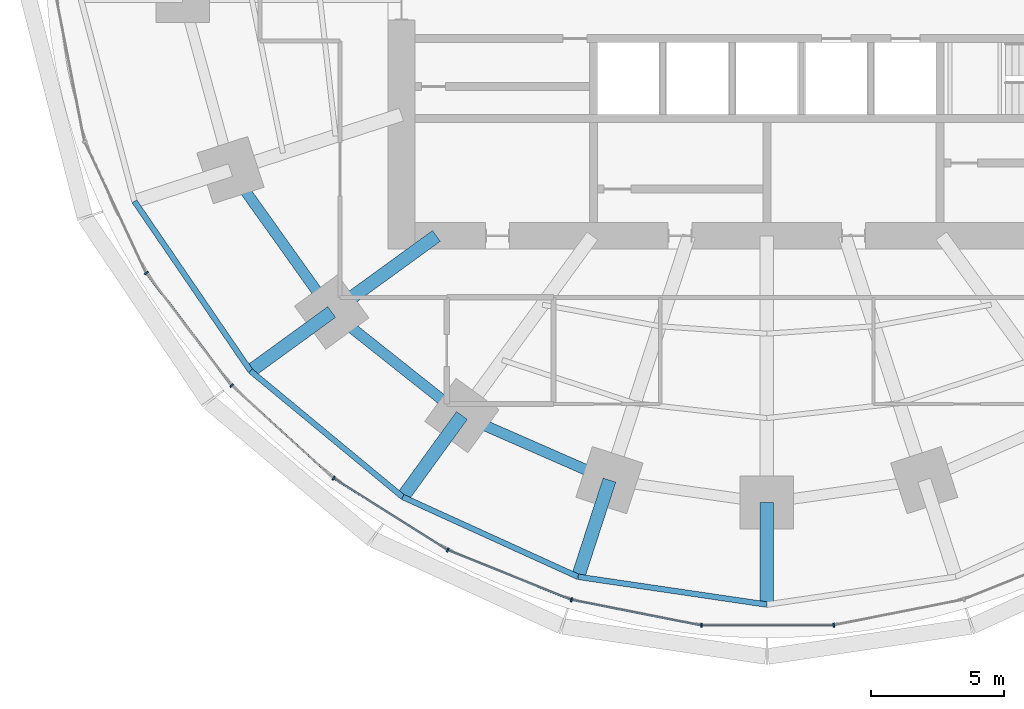
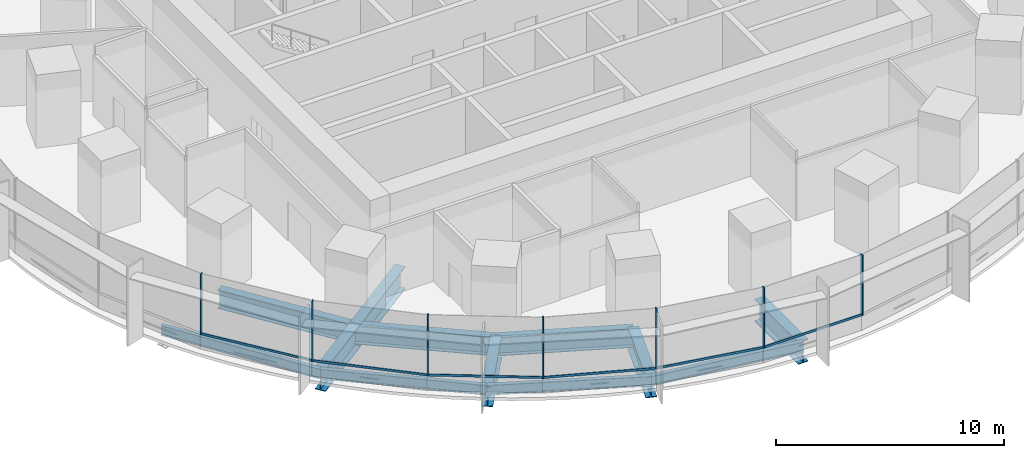
# One storey, part 2 of 15: 13 members, 12 beams, 2 elements without a shape of their own.
"""IFC4 building model written with IfcOpenShell, lengths in metres."""

from ifc_helpers import new_model, si_unit, direction, frame, origin, origin_2d, place, context, subcontext, project, spatial, rectangle, i_section, extrude, material, material_profile, profile_set, type_object, element, aggregate, save


model = new_model("IFC4")

# Units and contexts
model_context = context("Model", 3, precision=1e-05, world=origin(), true_north=direction((0.0, 1.0)))
body_context = subcontext(model_context, "Body", "Model", "MODEL_VIEW")
ifc_project = project(units=[si_unit("LENGTHUNIT", "METRE"), si_unit("AREAUNIT", "SQUARE_METRE"), si_unit("VOLUMEUNIT", "CUBIC_METRE"), si_unit("PLANEANGLEUNIT", "RADIAN"), si_unit("MASSUNIT", "GRAM", prefix="KILO")], contexts=[model_context])

# Site, building, storey
site_placement = place(None, origin())
site = spatial("IfcSite", under=ifc_project, at=site_placement, CompositionType="ELEMENT")
building_placement = place(site_placement, origin())
building = spatial("IfcBuilding", under=site, at=building_placement, Name="Marramba Exchange Tower", CompositionType="ELEMENT")
storey_placement = place(building_placement, frame((0.0, 0.0, 40.60009765625)))
storey = spatial("IfcBuildingStorey", under=building, at=storey_placement, Name="L09", CompositionType="ELEMENT", Elevation=40.60009765625)

# Beams
ifc_material_1 = material(Name="Steel AS/NZS 3679.2 grade 300", Category="steel")
ifc_material_profile_1 = material_profile(ifc_material_1, i_section(OverallWidth=0.5, OverallDepth=1.199951171875, WebThickness=0.01611328125, FlangeThickness=0.0400390625, at=origin_2d()), Name="1200WB455")
ifc_profile_set_1 = profile_set([ifc_material_profile_1], Name="Steel AS/NZS 3679.2 grade 300")
beam_type_1 = type_object("IfcBeamType", Name="Cantilever girder 1200WB455", PredefinedType="BEAM", material=ifc_profile_set_1)
beam_1_placement = place(storey_placement, frame((-16.3154296875, -11.853759765625, -0.760009765625), z_axis=(-0.809008346081, -0.587797155463, 0.0), x_axis=(0.587797155463, -0.809008346081, 0.0)))
element("IfcBeam", 1, at=beam_1_placement, inside=storey, type_object=beam_type_1, Name="Cantilever girder L09 TC13", PredefinedType="BEAM", context=body_context, shape_type="SweptSolid", body=[
    extrude(i_section(OverallWidth=0.5, OverallDepth=1.199951171875, WebThickness=0.01611328125, FlangeThickness=0.0400390625, at=origin_2d()), origin(), (0.0, 0.0, 1.0), 3.76025390625),
])
beam_2_placement = place(storey_placement, frame((-11.430419921875, -15.732666015625, -0.760009765625), z_axis=(-0.587787232741, -0.809015555491, 0.0), x_axis=(0.809015555491, -0.587787232741, 0.0)))
element("IfcBeam", 2, at=beam_2_placement, inside=storey, type_object=beam_type_1, Name="Cantilever girder L09 TC14", PredefinedType="BEAM", context=body_context, shape_type="SweptSolid", body=[
    extrude(i_section(OverallWidth=0.5, OverallDepth=1.199951171875, WebThickness=0.01611328125, FlangeThickness=0.0400390625, at=origin_2d()), origin(), (0.0, 0.0, 1.0), 3.7763671875),
])
beam_3_placement = place(storey_placement, frame((-5.899658203125, -18.156982421875, -0.760009765625), z_axis=(-0.309009272901, -0.951059025119, 0.0), x_axis=(0.951059025119, -0.309009272901, 0.0)))
element("IfcBeam", 3, at=beam_3_placement, inside=storey, type_object=beam_type_1, Name="Cantilever girder L09 TC15", PredefinedType="BEAM", context=body_context, shape_type="SweptSolid", body=[
    extrude(i_section(OverallWidth=0.5, OverallDepth=1.199951171875, WebThickness=0.01611328125, FlangeThickness=0.0400390625, at=origin_2d()), origin(), (0.0, 0.0, 1.0), 3.809814453125),
])
beam_4_placement = place(storey_placement, frame((0.0, -18.99609375, -0.760009765625), z_axis=(0.0, -1.0, 0.0), x_axis=(1.0, 0.0, 0.0)))
element("IfcBeam", 4, at=beam_4_placement, inside=storey, type_object=beam_type_1, Name="Cantilever girder L09 TC16", PredefinedType="BEAM", context=body_context, shape_type="SweptSolid", body=[
    extrude(i_section(OverallWidth=0.5, OverallDepth=1.199951171875, WebThickness=0.01611328125, FlangeThickness=0.0400390625, at=origin_2d()), origin(), (0.0, 0.0, 1.0), 3.825927734375),
])
ifc_material_profile_2 = material_profile(ifc_material_1, i_section(OverallWidth=0.5, OverallDepth=1.199951171875, WebThickness=0.01611328125, FlangeThickness=0.0400390625, at=origin_2d()), Name="1200WB455")
ifc_profile_set_2 = profile_set([ifc_material_profile_2], Name="Steel AS/NZS 3679.2 grade 300")
beam_type_2 = type_object("IfcBeamType", Name="Radial girder 1200WB455", PredefinedType="BEAM", material=ifc_profile_set_2)
beam_5_placement = place(storey_placement, frame((-12.387451171875, -9.0, -0.760009765625), z_axis=(-0.809025189606, -0.58777397236, 0.0), x_axis=(0.58777397236, -0.809025189606, 0.0)))
element("IfcBeam", 5, at=beam_5_placement, inside=storey, type_object=beam_type_2, Name="Radial girder L09 TC13", PredefinedType="BEAM", context=body_context, shape_type="SweptSolid", body=[
    extrude(i_section(OverallWidth=0.5, OverallDepth=1.199951171875, WebThickness=0.01611328125, FlangeThickness=0.0400390625, at=origin_2d()), origin(), (0.0, 0.0, 1.0), 4.855224609375),
])
ifc_material_profile_3 = material_profile(ifc_material_1, i_section(OverallWidth=0.39990234375, OverallDepth=1.0, WebThickness=0.01611328125, FlangeThickness=0.031982421875, at=origin_2d()), Name="1000WB322")
ifc_profile_set_3 = profile_set([ifc_material_profile_3], Name="Steel AS/NZS 3679.2 grade 300")
beam_type_3 = type_object("IfcBeamType", Name="Ring beam 1000WB322", PredefinedType="SPANDREL", material=ifc_profile_set_3)
beam_6_placement = place(storey_placement, frame((-20.109375, -6.533935546875, -0.66015625), z_axis=(0.580637181111, -0.814162430914, 0.0), x_axis=(0.814162430914, 0.580637181111, 0.0)))
element("IfcBeam", 6, at=beam_6_placement, inside=storey, type_object=beam_type_3, Name="Ring beam L09 TC12-TC13", PredefinedType="SPANDREL", context=body_context, shape_type="SweptSolid", body=[
    extrude(i_section(OverallWidth=0.39990234375, OverallDepth=1.0, WebThickness=0.01611328125, FlangeThickness=0.031982421875, at=origin_2d()), origin(), (0.0, 0.0, 1.0), 6.5341796875),
])
beam_7_placement = place(storey_placement, frame((-16.3154296875, -11.853759765625, -0.66015625), z_axis=(0.783139438128, -0.621846138887, 0.0), x_axis=(0.621846138887, 0.783139438128, 0.0)))
element("IfcBeam", 7, at=beam_7_placement, inside=storey, type_object=beam_type_3, Name="Ring beam L09 TC13-TC14", PredefinedType="SPANDREL", context=body_context, shape_type="SweptSolid", body=[
    extrude(i_section(OverallWidth=0.39990234375, OverallDepth=1.0, WebThickness=0.01611328125, FlangeThickness=0.031982421875, at=origin_2d()), origin(), (0.0, 0.0, 1.0), 6.23779296875),
])
beam_8_placement = place(storey_placement, frame((-11.430419921875, -15.732666015625, -0.66015625), z_axis=(0.915876892158, -0.4014592363, 0.0), x_axis=(0.4014592363, 0.915876892158, 0.0)))
element("IfcBeam", 8, at=beam_8_placement, inside=storey, type_object=beam_type_3, Name="Ring beam L09 TC14-TC15", PredefinedType="SPANDREL", context=body_context, shape_type="SweptSolid", body=[
    extrude(i_section(OverallWidth=0.39990234375, OverallDepth=1.0, WebThickness=0.01611328125, FlangeThickness=0.031982421875, at=origin_2d()), origin(), (0.0, 0.0, 1.0), 6.038818359375),
])
ifc_material_2 = material(Name="Steel AS/NZS 3679.1 grade 300", Category="steel")
ifc_material_profile_4 = material_profile(ifc_material_2, i_section(OverallWidth=0.208984375, OverallDepth=0.528076171875, WebThickness=0.009521484375, FlangeThickness=0.01318359375, FilletRadius=0.013916015625, at=origin_2d()), Name="530UB82.0")
ifc_profile_set_4 = profile_set([ifc_material_profile_4], Name="Steel AS/NZS 3679.1 grade 300")
beam_type_4 = type_object("IfcBeamType", Name="Slab edge beam 530UB82.0", PredefinedType="SPANDREL", material=ifc_profile_set_4)
beam_9_placement = place(storey_placement, frame((-23.709716796875, -7.703857421875, -0.424072265625), z_axis=(0.564740697285, -0.82526840775, 0.0), x_axis=(0.82526840775, 0.564740697285, 0.0)))
element("IfcBeam", 9, at=beam_9_placement, inside=storey, type_object=beam_type_4, Name="Slab edge beam L09 TC12-TC13", PredefinedType="SPANDREL", context=body_context, shape_type="SweptSolid", body=[
    extrude(i_section(OverallWidth=0.208984375, OverallDepth=0.528076171875, WebThickness=0.009521484375, FlangeThickness=0.01318359375, FilletRadius=0.013916015625, at=origin_2d()), origin(), (0.0, 0.0, 1.0), 7.706787109375),
])
beam_10_placement = place(storey_placement, frame((-19.357421875, -14.06396484375, -0.424072265625), z_axis=(0.770353575372, -0.637616945283, 0.0), x_axis=(0.637616945283, 0.770353575372, 0.0)))
element("IfcBeam", 10, at=beam_10_placement, inside=storey, type_object=beam_type_4, Name="Slab edge beam L09 TC13-TC14", PredefinedType="SPANDREL", context=body_context, shape_type="SweptSolid", body=[
    extrude(i_section(OverallWidth=0.208984375, OverallDepth=0.528076171875, WebThickness=0.009521484375, FlangeThickness=0.01318359375, FilletRadius=0.013916015625, at=origin_2d()), origin(), (0.0, 0.0, 1.0), 7.40869140625),
])
beam_11_placement = place(storey_placement, frame((-13.650146484375, -18.787841796875, -0.424072265625), z_axis=(0.910126690081, -0.414330071324, 0.0), x_axis=(0.414330071324, 0.910126690081, 0.0)))
element("IfcBeam", 11, at=beam_11_placement, inside=storey, type_object=beam_type_4, Name="Slab edge beam L09 TC14-TC15", PredefinedType="SPANDREL", context=body_context, shape_type="SweptSolid", body=[
    extrude(i_section(OverallWidth=0.208984375, OverallDepth=0.528076171875, WebThickness=0.009521484375, FlangeThickness=0.01318359375, FilletRadius=0.013916015625, at=origin_2d()), origin(), (0.0, 0.0, 1.0), 7.222412109375),
])
beam_12_placement = place(storey_placement, frame((-7.076904296875, -21.7802734375, -0.424072265625), z_axis=(0.989338462178, -0.145634498848, 0.0), x_axis=(0.145634498848, 0.989338462178, 0.0)))
element("IfcBeam", 12, at=beam_12_placement, inside=storey, type_object=beam_type_4, Name="Slab edge beam L09 TC15-TC16", PredefinedType="SPANDREL", context=body_context, shape_type="SweptSolid", body=[
    extrude(i_section(OverallWidth=0.208984375, OverallDepth=0.528076171875, WebThickness=0.009521484375, FlangeThickness=0.01318359375, FilletRadius=0.013916015625, at=origin_2d()), origin(), (0.0, 0.0, 1.0), 7.153076171875),
])

# Curtain wall, members
ifc_material_3 = material(Name="Aluminium framing, bronze anodised", Category="aluminium")
curtain_wall_type = type_object("IfcCurtainWallType", Name="Trading floor ribbon curtain wall", PredefinedType="USERDEFINED", material=ifc_material_3)
curtain_wall_1_placement = place(storey_placement, origin())
curtain_wall_1 = element("IfcCurtainWall", 13, at=curtain_wall_1_placement, inside=storey, type_object=curtain_wall_type, Name="Curtain wall CW3 L09 F16-F20", ObjectType="RIBBON CURTAIN WALL", PredefinedType="USERDEFINED")
ifc_material_4 = material(Name="Aluminium mullion, bronze anodised", Category="aluminium")
ifc_material_profile_5 = material_profile(ifc_material_4, rectangle(XDim=0.159912109375, YDim=0.06005859375, at=origin_2d()), Name="CW3 mullion 60x160")
ifc_profile_set_5 = profile_set([ifc_material_profile_5], Name="Aluminium mullion, bronze anodised")
member_type_1 = type_object("IfcMemberType", Name="Trading floor ribbon curtain wall mullion", PredefinedType="MULLION", material=ifc_profile_set_5)
member_1_placement = place(storey_placement, frame((-23.26318359375, -10.389404296875, 0.7998046875), z_axis=(0.0, 0.0, 1.0), x_axis=(0.797710591138, 0.603040473588, 0.0)))
member_1 = element("IfcMember", 14, at=member_1_placement, type_object=member_type_1, Name="CW3 mullion 1", PredefinedType="MULLION", context=body_context, shape_type="SweptSolid", body=[
    extrude(rectangle(XDim=0.159912109375, YDim=0.06005859375, at=origin_2d()), origin(), (0.0, 0.0, 1.0), 3.239990234375),
])
member_2_placement = place(storey_placement, frame((-20.063232421875, -14.61328125, 0.7998046875), z_axis=(0.0, 0.0, 1.0), x_axis=(0.673058133441, 0.739589581463, 0.0)))
member_2 = element("IfcMember", 15, at=member_2_placement, type_object=member_type_1, Name="CW3 mullion 1", PredefinedType="MULLION", context=body_context, shape_type="SweptSolid", body=[
    extrude(rectangle(XDim=0.159912109375, YDim=0.06005859375, at=origin_2d()), origin(), (0.0, 0.0, 1.0), 3.239990234375),
])
member_3_placement = place(storey_placement, frame((-16.242431640625, -18.083251953125, 0.7998046875), z_axis=(0.0, 0.0, 1.0), x_axis=(0.533514646612, 0.845790826298, 0.0)))
member_3 = element("IfcMember", 16, at=member_3_placement, type_object=member_type_1, Name="CW3 mullion 1", PredefinedType="MULLION", context=body_context, shape_type="SweptSolid", body=[
    extrude(rectangle(XDim=0.159912109375, YDim=0.06005859375, at=origin_2d()), origin(), (0.0, 0.0, 1.0), 3.239990234375),
])

curtain_wall_2_placement = place(storey_placement, origin())
curtain_wall_2 = element("IfcCurtainWall", 17, at=curtain_wall_2_placement, inside=storey, type_object=curtain_wall_type, Name="Curtain wall CW3 L09 F21-F25", ObjectType="RIBBON CURTAIN WALL", PredefinedType="USERDEFINED")
member_4_placement = place(storey_placement, frame((-11.96142578125, -20.77734375, 0.7998046875), z_axis=(0.0, 0.0, 1.0), x_axis=(0.374218219325, 0.927340673283, 0.0)))
member_4 = element("IfcMember", 18, at=member_4_placement, type_object=member_type_1, Name="CW3 mullion 1", PredefinedType="MULLION", context=body_context, shape_type="SweptSolid", body=[
    extrude(rectangle(XDim=0.159912109375, YDim=0.06005859375, at=origin_2d()), origin(), (0.0, 0.0, 1.0), 3.239990234375),
])
member_5_placement = place(storey_placement, frame((-7.325439453125, -22.64208984375, 0.7998046875), z_axis=(0.0, 0.0, 1.0), x_axis=(0.193961202977, 0.98100920064, 0.0)))
member_5 = element("IfcMember", 19, at=member_5_placement, type_object=member_type_1, Name="CW3 mullion 1", PredefinedType="MULLION", context=body_context, shape_type="SweptSolid", body=[
    extrude(rectangle(XDim=0.159912109375, YDim=0.06005859375, at=origin_2d()), origin(), (0.0, 0.0, 1.0), 3.239990234375),
])
member_6_placement = place(storey_placement, frame((-2.450439453125, -23.599853515625, 0.7998046875), z_axis=(0.0, 0.0, 1.0), x_axis=(0.0, 1.0, 0.0)))
member_6 = element("IfcMember", 20, at=member_6_placement, type_object=member_type_1, Name="CW3 mullion 1", PredefinedType="MULLION", context=body_context, shape_type="SweptSolid", body=[
    extrude(rectangle(XDim=0.159912109375, YDim=0.06005859375, at=origin_2d()), origin(), (0.0, 0.0, 1.0), 3.239990234375),
])
member_7_placement = place(storey_placement, frame((2.509765625, -23.59423828125, 0.7998046875), z_axis=(0.0, 0.0, 1.0), x_axis=(-0.193961202977, 0.98100920064, 0.0)))
member_7 = element("IfcMember", 21, at=member_7_placement, type_object=member_type_1, Name="CW3 mullion 1", PredefinedType="MULLION", context=body_context, shape_type="SweptSolid", body=[
    extrude(rectangle(XDim=0.159912109375, YDim=0.06005859375, at=origin_2d()), origin(), (0.0, 0.0, 1.0), 3.239990234375),
])

# Member
ifc_material_5 = material(Name="Aluminium transom, bronze anodised", Category="aluminium")
ifc_material_profile_6 = material_profile(ifc_material_5, rectangle(XDim=0.06005859375, YDim=0.1201171875, at=origin_2d()), Name="CW3 transom 60x120")
ifc_profile_set_6 = profile_set([ifc_material_profile_6], Name="Aluminium transom, bronze anodised")
member_type_2 = type_object("IfcMemberType", Name="Trading floor ribbon curtain wall transom", PredefinedType="USERDEFINED", material=ifc_profile_set_6)
member_8_placement = place(storey_placement, frame((-23.2451171875, -10.413330078125, 0.829833984375), z_axis=(0.603037409419, -0.797712907531, 0.0), x_axis=(0.797712907531, 0.603037409419, 0.0)))
member_8 = element("IfcMember", 22, at=member_8_placement, type_object=member_type_2, Name="CW3 sill transom", ObjectType="TRANSOM", PredefinedType="USERDEFINED", context=body_context, shape_type="SweptSolid", body=[
    extrude(rectangle(XDim=0.06005859375, YDim=0.1201171875, at=origin_2d()), origin(), (0.0, 0.0, 1.0), 5.239501953125),
])

member_9_placement = place(storey_placement, frame((-20.041015625, -14.63330078125, 0.829833984375), z_axis=(0.739582688456, -0.673065707741, 0.0), x_axis=(0.673065707741, 0.739582688456, 0.0)))
member_9 = element("IfcMember", 23, at=member_9_placement, type_object=member_type_2, Name="CW3 sill transom", ObjectType="TRANSOM", PredefinedType="USERDEFINED", context=body_context, shape_type="SweptSolid", body=[
    extrude(rectangle(XDim=0.06005859375, YDim=0.1201171875, at=origin_2d()), origin(), (0.0, 0.0, 1.0), 5.101806640625),
])

member_10_placement = place(storey_placement, frame((-16.217041015625, -18.09912109375, 0.829833984375), z_axis=(0.845776602594, -0.533537195053, 0.0), x_axis=(0.533537195053, 0.845776602594, 0.0)))
member_10 = element("IfcMember", 24, at=member_10_placement, type_object=member_type_2, Name="CW3 sill transom", ObjectType="TRANSOM", PredefinedType="USERDEFINED", context=body_context, shape_type="SweptSolid", body=[
    extrude(rectangle(XDim=0.06005859375, YDim=0.1201171875, at=origin_2d()), origin(), (0.0, 0.0, 1.0), 4.998779296875),
])

aggregate(curtain_wall_1, [member_1, member_8, member_2, member_9, member_3, member_10])

member_11_placement = place(storey_placement, frame((-11.93359375, -20.78857421875, 0.829833984375), z_axis=(0.927340197166, -0.374219399176, 0.0), x_axis=(0.374219399176, 0.927340197166, 0.0)))
member_11 = element("IfcMember", 25, at=member_11_placement, type_object=member_type_2, Name="CW3 sill transom", ObjectType="TRANSOM", PredefinedType="USERDEFINED", context=body_context, shape_type="SweptSolid", body=[
    extrude(rectangle(XDim=0.06005859375, YDim=0.1201171875, at=origin_2d()), origin(), (0.0, 0.0, 1.0), 4.937255859375),
])

member_12_placement = place(storey_placement, frame((-7.296142578125, -22.64794921875, 0.829833984375), z_axis=(0.981018169547, -0.193915834883, 0.0), x_axis=(0.193915834883, 0.981018169547, 0.0)))
member_12 = element("IfcMember", 26, at=member_12_placement, type_object=member_type_2, Name="CW3 sill transom", ObjectType="TRANSOM", PredefinedType="USERDEFINED", context=body_context, shape_type="SweptSolid", body=[
    extrude(rectangle(XDim=0.06005859375, YDim=0.1201171875, at=origin_2d()), origin(), (0.0, 0.0, 1.0), 4.908935546875),
])

member_13_placement = place(storey_placement, frame((-2.42041015625, -23.599853515625, 0.829833984375), z_axis=(1.0, 0.0, 0.0), x_axis=(0.0, 1.0, 0.0)))
member_13 = element("IfcMember", 27, at=member_13_placement, type_object=member_type_2, Name="CW3 sill transom", ObjectType="TRANSOM", PredefinedType="USERDEFINED", context=body_context, shape_type="SweptSolid", body=[
    extrude(rectangle(XDim=0.06005859375, YDim=0.1201171875, at=origin_2d()), origin(), (0.0, 0.0, 1.0), 4.90087890625),
])

aggregate(curtain_wall_2, [member_4, member_11, member_5, member_12, member_6, member_13, member_7])

save(model, "model.ifc")
